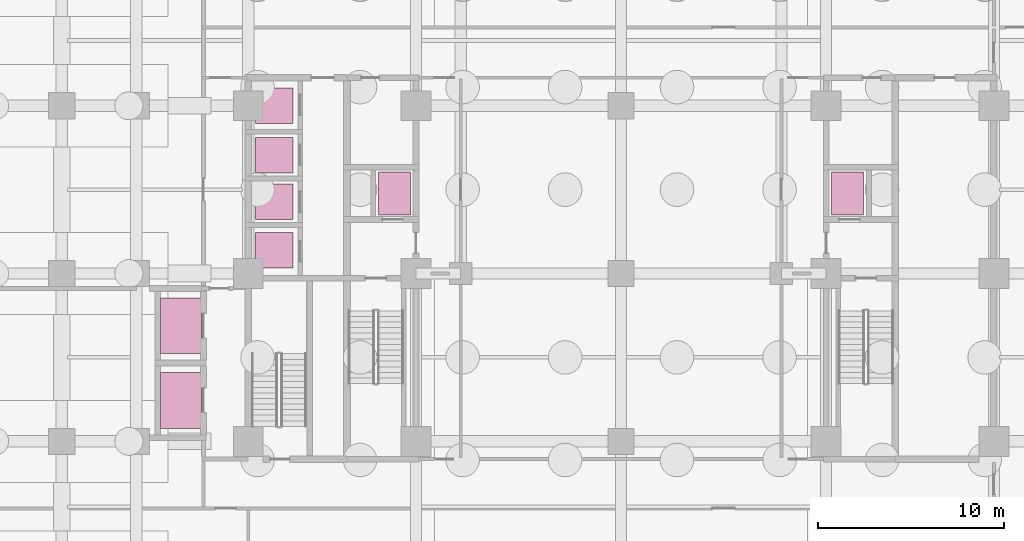
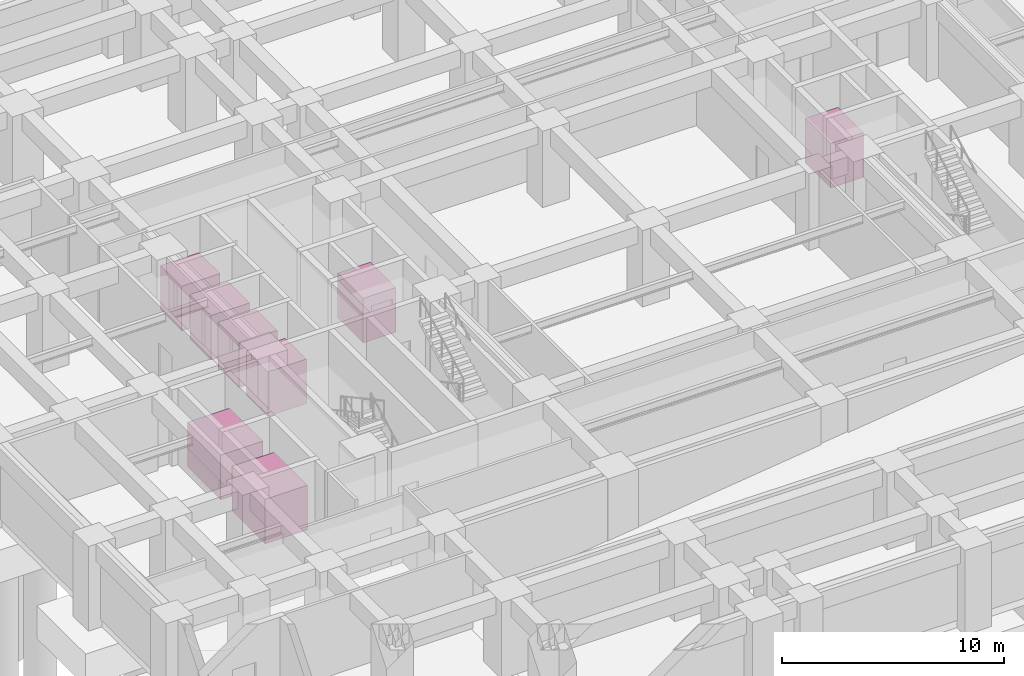
# One storey, part 16 of 16: 8 transport elements.
"""IFC4 building model written with IfcOpenShell, lengths in metres."""

from ifc_helpers import new_model, si_unit, direction, frame, origin, origin_2d, place, context, subcontext, project, spatial, rectangle, extrude, material, type_object, element, save


model = new_model("IFC4")

# Units and contexts
model_context = context("Model", 3, precision=1e-05, world=origin(), true_north=direction((0.0, 1.0)))
body_context = subcontext(model_context, "Body", "Model", "MODEL_VIEW")
ifc_project = project(units=[si_unit("LENGTHUNIT", "METRE"), si_unit("AREAUNIT", "SQUARE_METRE"), si_unit("VOLUMEUNIT", "CUBIC_METRE"), si_unit("PLANEANGLEUNIT", "RADIAN"), si_unit("MASSUNIT", "GRAM", prefix="KILO")], contexts=[model_context])

# Site, building, storey
site_placement = place(None, origin())
site = spatial("IfcSite", under=ifc_project, at=site_placement, CompositionType="ELEMENT")
building_placement = place(site_placement, origin())
building = spatial("IfcBuilding", under=site, at=building_placement, Name="Zulmaris Gate Convention Tower", CompositionType="ELEMENT")
storey_placement = place(building_placement, frame((0.0, 0.0, -9.10009765625)))
storey = spatial("IfcBuildingStorey", under=building, at=storey_placement, Name="B2", CompositionType="ELEMENT", Elevation=-9.10009765625)

# Transport elements
ifc_material = material(Name="Brushed Stainless Steel", Category="steel")
transport_element_type_1 = type_object("IfcTransportElementType", Name="LIFT-FIRE-2100", PredefinedType="ELEVATOR", material=ifc_material)
for number, where, z_axis, x_axis, name in (
    (1, (-12.14990234375, 4.300048828125, 0.0), (0.0, 0.0, 1.0), (1.0, 0.0, 0.0), "Elevator LF-01"),
    (2, (12.14990234375, 4.300048828125, 0.0), (0.0, 0.0, 1.0), (1.0, 0.0, 0.0), "Elevator LF-02"),
):
    element("IfcTransportElement", number, at=place(storey_placement, frame(where, z_axis=z_axis, x_axis=x_axis)), inside=storey, type_object=transport_element_type_1, Name=name, PredefinedType="ELEVATOR", context=body_context, shape_type="SweptSolid", body=[
        extrude(rectangle(XDim=1.699951171875, YDim=2.300048828125, at=origin_2d()), origin(), (0.0, 0.0, 1.0), 2.449951171875),
    ])
transport_element_type_2 = type_object("IfcTransportElementType", Name="LIFT-GOODS-4500", PredefinedType="ELEVATOR", material=ifc_material)
for number, where, z_axis, x_axis, name in (
    (3, (-23.60009765625, -6.800048828125, 0.0), (0.0, 0.0, 1.0), (1.0, 0.0, 0.0), "Elevator GL-01"),
    (4, (-23.60009765625, -2.800048828125, 0.0), (0.0, 0.0, 1.0), (1.0, 0.0, 0.0), "Elevator GL-02"),
):
    element("IfcTransportElement", number, at=place(storey_placement, frame(where, z_axis=z_axis, x_axis=x_axis)), inside=storey, type_object=transport_element_type_2, Name=name, PredefinedType="ELEVATOR", context=body_context, shape_type="SweptSolid", body=[
        extrude(rectangle(XDim=2.199951171875, YDim=3.0, at=origin_2d()), origin(), (0.0, 0.0, 1.0), 2.449951171875),
    ])
transport_element_type_3 = type_object("IfcTransportElementType", Name="LIFT-PASS-1600", PredefinedType="ELEVATOR", material=ifc_material)
for number, where, z_axis, x_axis, name in (
    (5, (-18.60009765625, 1.25, 0.0), (0.0, 0.0, 1.0), (1.0, 0.0, 0.0), "Elevator LP-01"),
    (6, (-18.60009765625, 3.85009765625, 0.0), (0.0, 0.0, 1.0), (1.0, 0.0, 0.0), "Elevator LP-02"),
    (7, (-18.60009765625, 6.35009765625, 0.0), (0.0, 0.0, 1.0), (1.0, 0.0, 0.0), "Elevator LP-03"),
    (8, (-18.60009765625, 9.0, 0.0), (0.0, 0.0, 1.0), (1.0, 0.0, 0.0), "Elevator LP-04"),
):
    element("IfcTransportElement", number, at=place(storey_placement, frame(where, z_axis=z_axis, x_axis=x_axis)), inside=storey, type_object=transport_element_type_3, Name=name, PredefinedType="ELEVATOR", context=body_context, shape_type="SweptSolid", body=[
        extrude(rectangle(XDim=2.0, YDim=1.89990234375, at=origin_2d()), origin(), (0.0, 0.0, 1.0), 2.449951171875),
    ])

save(model, "model.ifc")
